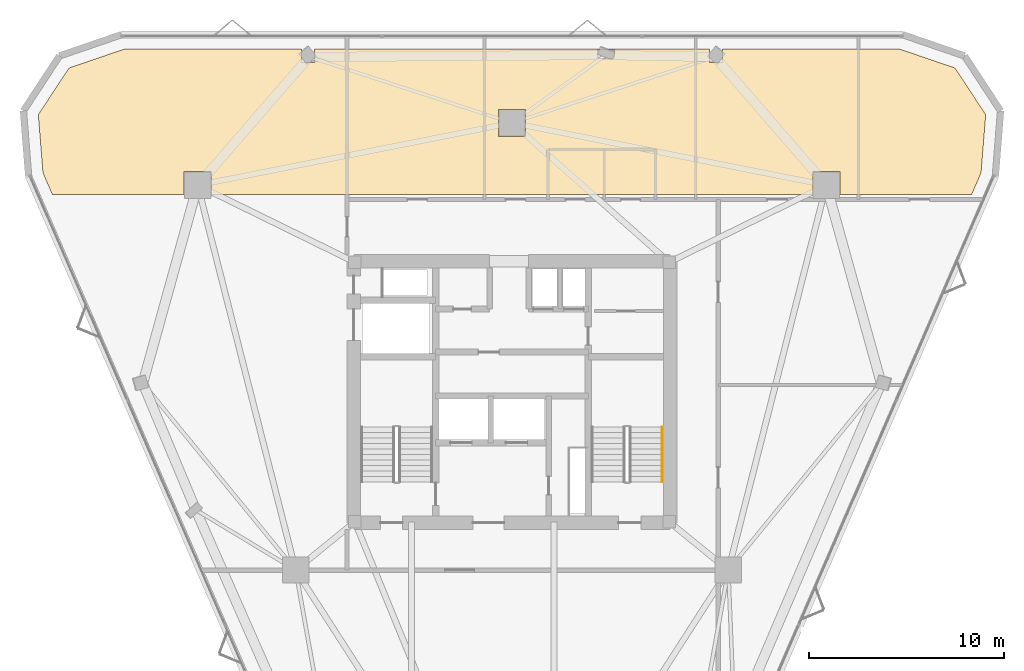
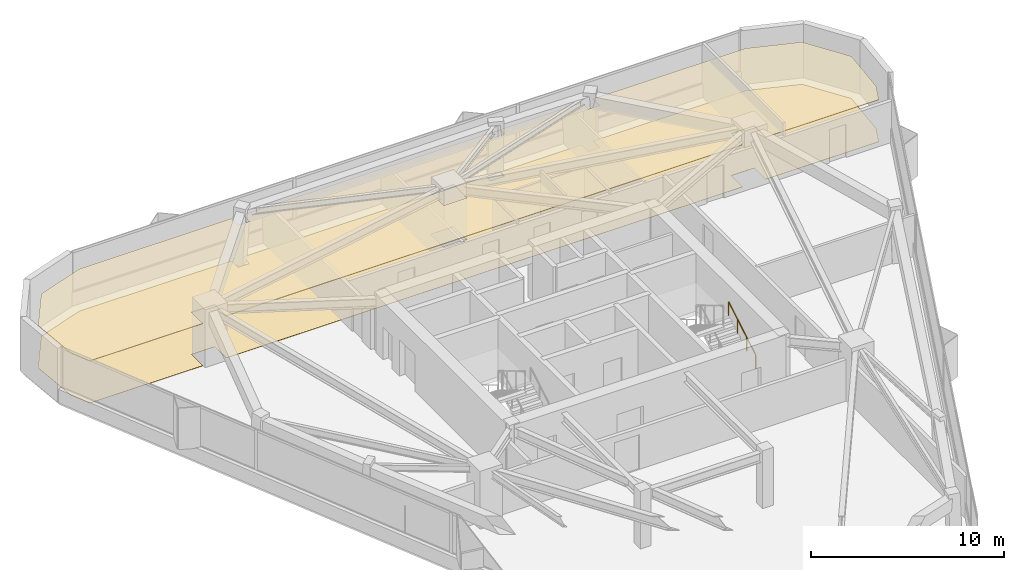
# One storey, part 13 of 13: 2 coverings, 1 railing.
"""IFC4 building model written with IfcOpenShell, lengths in metres."""

from ifc_helpers import new_model, si_unit, direction, frame, origin, origin_2d, place, context, subcontext, project, spatial, polyline, rectangle, outline, extrude, material, layer, layer_set, type_object, element, save


model = new_model("IFC4")

# Units and contexts
model_context = context("Model", 3, precision=1e-05, world=origin(), true_north=direction((0.0, 1.0)))
body_context = subcontext(model_context, "Body", "Model", "MODEL_VIEW")
ifc_project = project(units=[si_unit("LENGTHUNIT", "METRE"), si_unit("AREAUNIT", "SQUARE_METRE"), si_unit("VOLUMEUNIT", "CUBIC_METRE"), si_unit("PLANEANGLEUNIT", "RADIAN"), si_unit("MASSUNIT", "GRAM", prefix="KILO")], contexts=[model_context])

# Site, building, storey
site_placement = place(None, origin())
site = spatial("IfcSite", under=ifc_project, at=site_placement, CompositionType="ELEMENT")
building_placement = place(site_placement, origin())
building = spatial("IfcBuilding", under=site, at=building_placement, Name="Talyreon Biosciences Tower", CompositionType="ELEMENT")
storey_placement = place(building_placement, frame((0.0, 0.0, 212.25)))
storey = spatial("IfcBuildingStorey", under=building, at=storey_placement, Name="L56", CompositionType="ELEMENT", Elevation=212.25)

# Coverings
ifc_material_1 = material(Name="Cleanable acoustic mineral-fibre ceiling tile", Category="gypsum")
ifc_layer_1 = layer(ifc_material_1, 0.0400390625)
ifc_layer_set_1 = layer_set([ifc_layer_1], Name="Cleanable acoustic mineral-fibre ceiling tile")
covering_type_1 = type_object("IfcCoveringType", Name="AcousticCleanroomCeiling_40", PredefinedType="CEILING", material=ifc_layer_set_1)
covering_1_placement = place(storey_placement, frame((0.0, 0.0, 2.639892578125)))
element("IfcCovering", 1, at=covering_1_placement, inside=storey, type_object=covering_type_1, Name="L56 Acoustic Laboratory Ceiling", PredefinedType="CEILING", context=body_context, shape_type="SweptSolid", body=[
    extrude(outline(polyline([(41.730224609375, 82.210693359375), (43.297119140625, 84.599609375), (46.125, 85.568359375), (55.2109375, 85.568359375), (55.2109375, 84.889404296875), (55.89111328125, 84.889404296875), (55.89111328125, 85.568359375), (76.10888671875, 85.568359375), (76.10888671875, 84.889404296875), (76.7890625, 84.889404296875), (76.7890625, 85.568359375), (85.875, 85.568359375), (88.702880859375, 84.599609375), (90.269775390625, 82.210693359375), (90.031982421875, 79.23095703125), (89.54931640625, 78.1201171875), (82.79248046875, 78.1201171875), (82.79248046875, 79.288818359375), (81.412353515625, 79.288818359375), (81.412353515625, 78.1201171875), (50.587646484375, 78.1201171875), (50.587646484375, 79.288818359375), (49.20751953125, 79.288818359375), (49.20751953125, 78.1201171875), (42.45068359375, 78.1201171875), (41.968017578125, 79.23095703125), (41.730224609375, 82.210693359375)]), holes=[polyline([(65.31005859375, 81.098876953125), (66.68994140625, 81.098876953125), (66.68994140625, 82.47900390625), (65.31005859375, 82.47900390625), (65.31005859375, 81.098876953125)]), polyline([(71.237548828125, 85.544677734375), (70.40771484375, 85.544677734375), (70.40771484375, 85.114501953125), (71.237548828125, 85.114501953125), (71.237548828125, 85.544677734375)])]), origin(), (0.0, 0.0, 1.0), 0.0400390625),
])
ifc_material_2 = material(Name="Chemical-resistant seamless epoxy resin flooring", Category="plastic")
ifc_layer_2 = layer(ifc_material_2, 0.014892578125)
ifc_layer_set_2 = layer_set([ifc_layer_2], Name="Chemical-resistant seamless epoxy resin flooring")
covering_type_2 = type_object("IfcCoveringType", Name="SeamlessEpoxyLabFlooring_15", PredefinedType="FLOORING", material=ifc_layer_set_2)
covering_2_placement = place(storey_placement, origin())
element("IfcCovering", 2, at=covering_2_placement, inside=storey, type_object=covering_type_2, Name="L56 Laboratory Floor Finish", PredefinedType="FLOORING", context=body_context, shape_type="SweptSolid", body=[
    extrude(outline(polyline([(41.730224609375, 82.210693359375), (43.297119140625, 84.599609375), (46.125, 85.568359375), (55.2109375, 85.568359375), (55.2109375, 84.889404296875), (55.89111328125, 84.889404296875), (55.89111328125, 85.568359375), (76.10888671875, 85.568359375), (76.10888671875, 84.889404296875), (76.7890625, 84.889404296875), (76.7890625, 85.568359375), (85.875, 85.568359375), (88.702880859375, 84.599609375), (90.269775390625, 82.210693359375), (90.031982421875, 79.23095703125), (89.54931640625, 78.1201171875), (82.79248046875, 78.1201171875), (82.79248046875, 79.288818359375), (81.412353515625, 79.288818359375), (81.412353515625, 78.1201171875), (50.587646484375, 78.1201171875), (50.587646484375, 79.288818359375), (49.20751953125, 79.288818359375), (49.20751953125, 78.1201171875), (42.45068359375, 78.1201171875), (41.968017578125, 79.23095703125), (41.730224609375, 82.210693359375)]), holes=[polyline([(65.31005859375, 81.098876953125), (66.68994140625, 81.098876953125), (66.68994140625, 82.47900390625), (65.31005859375, 82.47900390625), (65.31005859375, 81.098876953125)]), polyline([(71.237548828125, 85.544677734375), (70.40771484375, 85.544677734375), (70.40771484375, 85.114501953125), (71.237548828125, 85.114501953125), (71.237548828125, 85.544677734375)])]), origin(), (0.0, 0.0, 1.0), 0.014892578125),
])

# Railing
ifc_material_3 = material(Name="Brushed stainless-steel tubular handrail", Category="steel")
railing_type = type_object("IfcRailingType", Name="StairWallHandrail_900", PredefinedType="HANDRAIL", material=ifc_material_3)
railing_placement = place(storey_placement, frame((73.699951171875, 63.39990234375, 0.166015625)))
element("IfcRailing", 3, at=railing_placement, inside=storey, type_object=railing_type, Name="L56 ST-2 stair handrail 1", PredefinedType="HANDRAIL", context=body_context, shape_type="SweptSolid", body=[
    extrude(rectangle(XDim=0.048095703125, YDim=0.048095703125, at=origin_2d()), frame((0.0, 0.0, 0.8759765625), z_axis=(0.0, 0.860339051648, 0.50972219513), x_axis=(-1.0, 0.0, 0.0)), (0.0, 0.0, 1.0), 3.254638671875),
    extrude(rectangle(XDim=0.0419921875, YDim=0.0419921875, at=origin_2d()), origin(), (0.0, 0.0, 1.0), 0.851806640625),
    extrude(rectangle(XDim=0.0419921875, YDim=0.0419921875, at=origin_2d()), frame((0.0, 0.933349609375, 0.552978515625)), (0.0, 0.0, 1.0), 0.851806640625),
    extrude(rectangle(XDim=0.0419921875, YDim=0.0419921875, at=origin_2d()), frame((0.0, 1.86669921875, 1.10595703125)), (0.0, 0.0, 1.0), 0.851806640625),
    extrude(rectangle(XDim=0.0419921875, YDim=0.0419921875, at=origin_2d()), frame((0.0, 2.800048828125, 1.658935546875)), (0.0, 0.0, 1.0), 0.851806640625),
])

save(model, "model.ifc")
